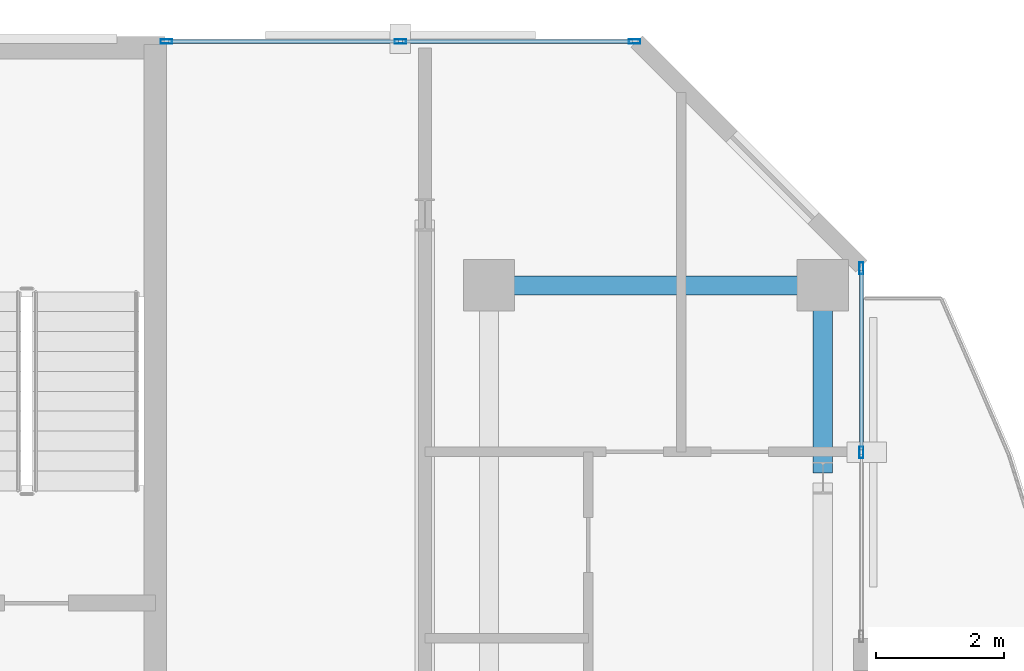
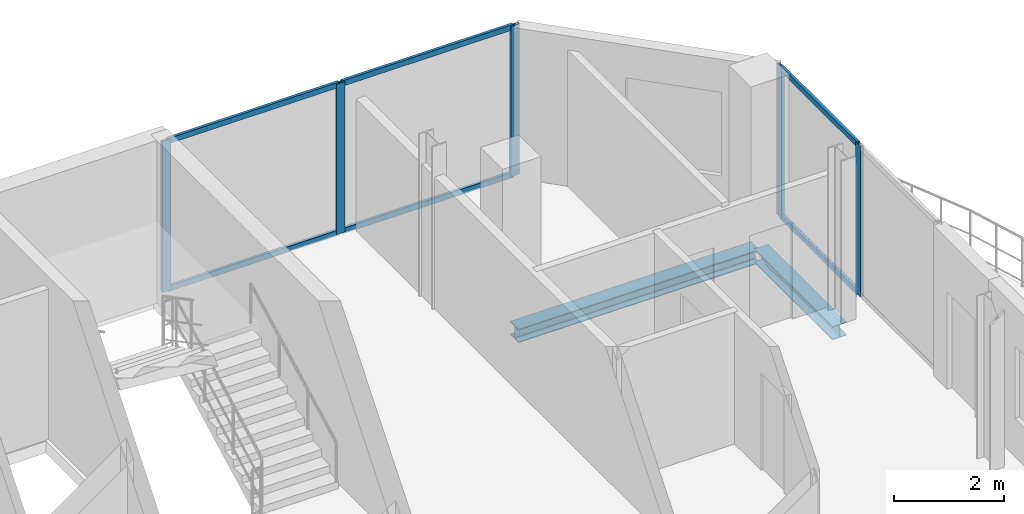
# One storey, part 16 of 23: 11 members, 2 beams, 2 elements without a shape of their own.
"""IFC4 building model written with IfcOpenShell, lengths in metres."""

from ifc_helpers import new_model, si_unit, direction, frame, origin, origin_2d, place, context, subcontext, project, spatial, hollow_rectangle, i_section, extrude, material, layer, layer_set, material_profile, profile_set, type_object, element, aggregate, save


model = new_model("IFC4")

# Units and contexts
model_context = context("Model", 3, precision=1e-05, world=origin(), true_north=direction((0.0, 1.0)))
body_context = subcontext(model_context, "Body", "Model", "MODEL_VIEW")
ifc_project = project(units=[si_unit("LENGTHUNIT", "METRE"), si_unit("AREAUNIT", "SQUARE_METRE"), si_unit("VOLUMEUNIT", "CUBIC_METRE"), si_unit("PLANEANGLEUNIT", "RADIAN"), si_unit("MASSUNIT", "GRAM", prefix="KILO")], contexts=[model_context])

# Site, building, storey
site_placement = place(None, origin())
site = spatial("IfcSite", under=ifc_project, at=site_placement, CompositionType="ELEMENT")
building_placement = place(site_placement, origin())
building = spatial("IfcBuilding", under=site, at=building_placement, Name="Catumbela Crestline Tower", CompositionType="ELEMENT")
storey_placement = place(building_placement, frame((0.0, 0.0, 179.4)))
storey = spatial("IfcBuildingStorey", under=building, at=storey_placement, Name="L46", CompositionType="ELEMENT", Elevation=179.4)

# Curtain wall, members
ifc_material_1 = material(Name="Aluminium alloy AW-6060-T66", Category="aluminium")
ifc_layer = layer(ifc_material_1, 0.18, Name="Aluminium alloy AW-6060-T66")
ifc_layer_set = layer_set([ifc_layer], Name="Aluminium alloy AW-6060-T66")
curtain_wall_type = type_object("IfcCurtainWallType", Name="CWU-Z3", PredefinedType="USERDEFINED", material=ifc_layer_set)
curtain_wall_1_placement = place(storey_placement, origin())
curtain_wall_1 = element("IfcCurtainWall", 1, at=curtain_wall_1_placement, inside=storey, type_object=curtain_wall_type, Name="L46 Unitised Curtain Wall CW-L46-E5S2", ObjectType="UNITISED", PredefinedType="USERDEFINED")
ifc_material_profile_1 = material_profile(ifc_material_1, hollow_rectangle(XDim=0.065, YDim=0.18, WallThickness=0.004, at=origin_2d()), Name="ALU 180x65x4")
ifc_profile_set_1 = profile_set([ifc_material_profile_1], Name="Aluminium alloy AW-6060-T66")
member_type_1 = type_object("IfcMemberType", Name="MUL-180X65", PredefinedType="MULLION", material=ifc_profile_set_1)
member_1_placement = place(storey_placement, frame((51.0, 36.6, 0.0), z_axis=(0.0, 0.0, 1.0), x_axis=(-1.0, 0.0, 0.0)))
member_1 = element("IfcMember", 2, at=member_1_placement, type_object=member_type_1, Name="CWU-Z3 mullion 2", PredefinedType="MULLION", context=body_context, shape_type="SweptSolid", body=[
    extrude(hollow_rectangle(XDim=0.065, YDim=0.18, WallThickness=0.004, at=origin_2d()), origin(), (0.0, 0.0, 1.0), 3.33),
])
member_2_placement = place(storey_placement, frame((51.0, 39.4675, 0.0), z_axis=(0.0, 0.0, 1.0), x_axis=(-1.0, 0.0, 0.0)))
member_2 = element("IfcMember", 3, at=member_2_placement, type_object=member_type_1, Name="CWU-Z3 mullion 3", PredefinedType="MULLION", context=body_context, shape_type="SweptSolid", body=[
    extrude(hollow_rectangle(XDim=0.065, YDim=0.18, WallThickness=0.004, at=origin_2d()), origin(), (0.0, 0.0, 1.0), 3.33),
])

curtain_wall_2_placement = place(storey_placement, origin())
curtain_wall_2 = element("IfcCurtainWall", 4, at=curtain_wall_2_placement, inside=storey, type_object=curtain_wall_type, Name="L46 Unitised Curtain Wall CW-L46-E7S1", ObjectType="UNITISED", PredefinedType="USERDEFINED")
member_3_placement = place(storey_placement, frame((47.4675, 43.0, 0.0), z_axis=(0.0, 0.0, 1.0), x_axis=(0.0, -1.0, 0.0)))
member_3 = element("IfcMember", 5, at=member_3_placement, type_object=member_type_1, Name="CWU-Z3 mullion 1", PredefinedType="MULLION", context=body_context, shape_type="SweptSolid", body=[
    extrude(hollow_rectangle(XDim=0.065, YDim=0.18, WallThickness=0.004, at=origin_2d()), origin(), (0.0, 0.0, 1.0), 3.33),
])
member_4_placement = place(storey_placement, frame((43.82, 43.0, 0.0), z_axis=(0.0, 0.0, 1.0), x_axis=(0.0, -1.0, 0.0)))
member_4 = element("IfcMember", 6, at=member_4_placement, type_object=member_type_1, Name="CWU-Z3 mullion 2", PredefinedType="MULLION", context=body_context, shape_type="SweptSolid", body=[
    extrude(hollow_rectangle(XDim=0.065, YDim=0.18, WallThickness=0.004, at=origin_2d()), origin(), (0.0, 0.0, 1.0), 3.33),
])
member_5_placement = place(storey_placement, frame((40.1725, 43.0, 0.0), z_axis=(0.0, 0.0, 1.0), x_axis=(0.0, -1.0, 0.0)))
member_5 = element("IfcMember", 7, at=member_5_placement, type_object=member_type_1, Name="CWU-Z3 mullion 3", PredefinedType="MULLION", context=body_context, shape_type="SweptSolid", body=[
    extrude(hollow_rectangle(XDim=0.065, YDim=0.18, WallThickness=0.004, at=origin_2d()), origin(), (0.0, 0.0, 1.0), 3.33),
])

# Beams
ifc_material_2 = material(Name="Structural steel S355J2", Category="steel")
ifc_material_profile_2 = material_profile(ifc_material_2, i_section(OverallWidth=0.3, OverallDepth=0.3, WebThickness=0.011, FlangeThickness=0.019, FilletRadius=0.027, at=origin_2d()), Name="HEB 300")
ifc_profile_set_2 = profile_set([ifc_material_profile_2], Name="Structural steel S355J2")
beam_type = type_object("IfcBeamType", Name="BS-HEB300", PredefinedType="SPANDREL", material=ifc_profile_set_2)
beam_1_placement = place(storey_placement, frame((45.28, 39.2, -0.41), z_axis=(1.0, 0.0, 0.0), x_axis=(0.0, 1.0, 0.0)))
element("IfcBeam", 8, at=beam_1_placement, inside=storey, type_object=beam_type, Name="L46 Spandrel SP-L46-N13", PredefinedType="SPANDREL", context=body_context, shape_type="SweptSolid", body=[
    extrude(i_section(OverallWidth=0.3, OverallDepth=0.3, WebThickness=0.011, FlangeThickness=0.019, FilletRadius=0.027, at=origin_2d()), origin(), (0.0, 0.0, 1.0), 5.04),
])
beam_2_placement = place(storey_placement, frame((50.4, 36.28, -0.41), z_axis=(0.0, 1.0, 0.0), x_axis=(-1.0, 0.0, 0.0)))
element("IfcBeam", 9, at=beam_2_placement, inside=storey, type_object=beam_type, Name="L46 Spandrel SP-L46-SN25", PredefinedType="SPANDREL", context=body_context, shape_type="SweptSolid", body=[
    extrude(i_section(OverallWidth=0.3, OverallDepth=0.3, WebThickness=0.011, FlangeThickness=0.019, FilletRadius=0.027, at=origin_2d()), origin(), (0.0, 0.0, 1.0), 2.84),
])

# Member
ifc_material_profile_3 = material_profile(ifc_material_1, hollow_rectangle(XDim=0.06, YDim=0.12, WallThickness=0.0035, at=origin_2d()), Name="ALU 120x60x3.5")
ifc_profile_set_3 = profile_set([ifc_material_profile_3], Name="Aluminium alloy AW-6060-T66")
member_type_2 = type_object("IfcMemberType", Name="TRN-120X60", PredefinedType="USERDEFINED", material=ifc_profile_set_3)
member_6_placement = place(storey_placement, frame((51.0, 36.6325, 0.03), z_axis=(0.0, 1.0, 0.0), x_axis=(-1.0, 0.0, 0.0)))
member_6 = element("IfcMember", 10, at=member_6_placement, type_object=member_type_2, Name="CWU-Z3 transom 2.1", ObjectType="TRANSOM", PredefinedType="USERDEFINED", context=body_context, shape_type="SweptSolid", body=[
    extrude(hollow_rectangle(XDim=0.06, YDim=0.12, WallThickness=0.0035, at=origin_2d()), origin(), (0.0, 0.0, 1.0), 2.8025),
])

member_7_placement = place(storey_placement, frame((51.0, 36.6325, 3.3), z_axis=(0.0, 1.0, 0.0), x_axis=(-1.0, 0.0, 0.0)))
member_7 = element("IfcMember", 11, at=member_7_placement, type_object=member_type_2, Name="CWU-Z3 transom 2.2", ObjectType="TRANSOM", PredefinedType="USERDEFINED", context=body_context, shape_type="SweptSolid", body=[
    extrude(hollow_rectangle(XDim=0.06, YDim=0.12, WallThickness=0.0035, at=origin_2d()), origin(), (0.0, 0.0, 1.0), 2.8025),
])

aggregate(curtain_wall_1, [member_1, member_2, member_6, member_7])

member_8_placement = place(storey_placement, frame((47.435, 43.0, 0.03), z_axis=(-1.0, 0.0, 0.0), x_axis=(0.0, -1.0, 0.0)))
member_8 = element("IfcMember", 12, at=member_8_placement, type_object=member_type_2, Name="CWU-Z3 transom 1.1", ObjectType="TRANSOM", PredefinedType="USERDEFINED", context=body_context, shape_type="SweptSolid", body=[
    extrude(hollow_rectangle(XDim=0.06, YDim=0.12, WallThickness=0.0035, at=origin_2d()), origin(), (0.0, 0.0, 1.0), 3.5825),
])

member_9_placement = place(storey_placement, frame((47.435, 43.0, 3.3), z_axis=(-1.0, 0.0, 0.0), x_axis=(0.0, -1.0, 0.0)))
member_9 = element("IfcMember", 13, at=member_9_placement, type_object=member_type_2, Name="CWU-Z3 transom 1.2", ObjectType="TRANSOM", PredefinedType="USERDEFINED", context=body_context, shape_type="SweptSolid", body=[
    extrude(hollow_rectangle(XDim=0.06, YDim=0.12, WallThickness=0.0035, at=origin_2d()), origin(), (0.0, 0.0, 1.0), 3.5825),
])

member_10_placement = place(storey_placement, frame((43.7875, 43.0, 0.03), z_axis=(-1.0, 0.0, 0.0), x_axis=(0.0, -1.0, 0.0)))
member_10 = element("IfcMember", 14, at=member_10_placement, type_object=member_type_2, Name="CWU-Z3 transom 2.1", ObjectType="TRANSOM", PredefinedType="USERDEFINED", context=body_context, shape_type="SweptSolid", body=[
    extrude(hollow_rectangle(XDim=0.06, YDim=0.12, WallThickness=0.0035, at=origin_2d()), origin(), (0.0, 0.0, 1.0), 3.5825),
])

member_11_placement = place(storey_placement, frame((43.7875, 43.0, 3.3), z_axis=(-1.0, 0.0, 0.0), x_axis=(0.0, -1.0, 0.0)))
member_11 = element("IfcMember", 15, at=member_11_placement, type_object=member_type_2, Name="CWU-Z3 transom 2.2", ObjectType="TRANSOM", PredefinedType="USERDEFINED", context=body_context, shape_type="SweptSolid", body=[
    extrude(hollow_rectangle(XDim=0.06, YDim=0.12, WallThickness=0.0035, at=origin_2d()), origin(), (0.0, 0.0, 1.0), 3.5825),
])

aggregate(curtain_wall_2, [member_3, member_4, member_5, member_8, member_9, member_10, member_11])

save(model, "model.ifc")
